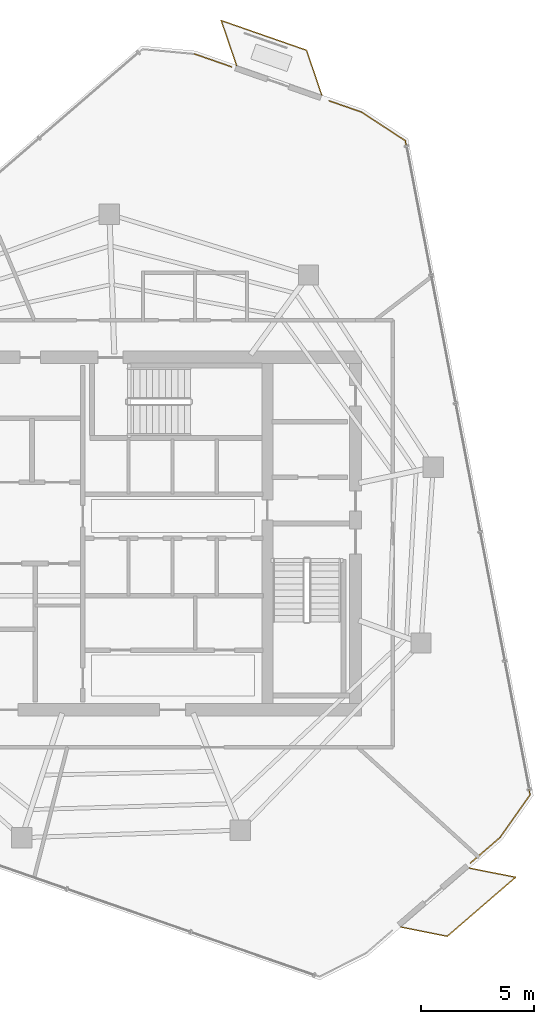
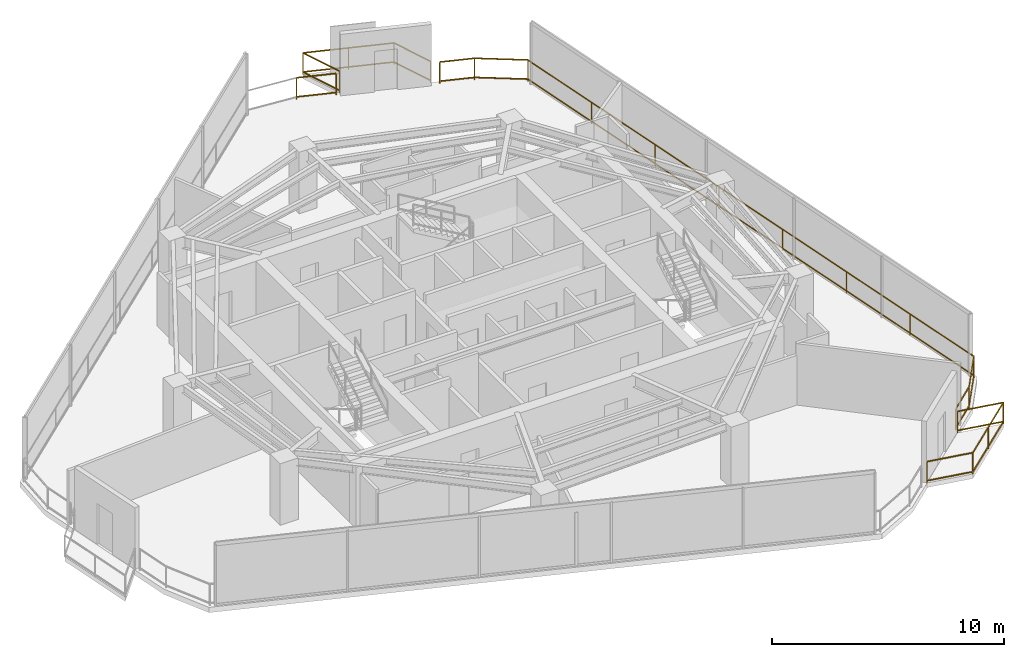
# One storey, part 18 of 18: 4 railings.
"""IFC4 building model written with IfcOpenShell, lengths in metres."""

from ifc_helpers import new_model, si_unit, direction, frame, origin, origin_2d, place, context, subcontext, project, spatial, rectangle, extrude, material, type_object, element, save


model = new_model("IFC4")

# Units and contexts
model_context = context("Model", 3, precision=1e-05, world=origin(), true_north=direction((0.0, 1.0)))
body_context = subcontext(model_context, "Body", "Model", "MODEL_VIEW")
ifc_project = project(units=[si_unit("LENGTHUNIT", "METRE"), si_unit("AREAUNIT", "SQUARE_METRE"), si_unit("VOLUMEUNIT", "CUBIC_METRE"), si_unit("PLANEANGLEUNIT", "RADIAN"), si_unit("MASSUNIT", "GRAM", prefix="KILO")], contexts=[model_context])

# Site, building, storey
site_placement = place(None, origin())
site = spatial("IfcSite", under=ifc_project, at=site_placement, CompositionType="ELEMENT")
building_placement = place(site_placement, origin())
building = spatial("IfcBuilding", under=site, at=building_placement, Name="Qarnah Convention Tower", CompositionType="ELEMENT")
storey_placement = place(building_placement, frame((0.0, 0.0, 220.199951171875)))
storey = spatial("IfcBuildingStorey", under=building, at=storey_placement, Name="L59", CompositionType="ELEMENT", Elevation=220.199951171875)

# Railings
ifc_material = material(Name="Black anodised aluminium", Category="aluminium")
railing_type = type_object("IfcRailingType", Name="RL-EXT-GUARD-1150", PredefinedType="GUARDRAIL", material=ifc_material)
railing_1_placement = place(storey_placement, frame((40.47705078125, 47.633056640625, 0.0)))
element("IfcRailing", 1, at=railing_1_placement, inside=storey, type_object=railing_type, Name="L59 slab-edge perimeter safety guard 01", PredefinedType="GUARDRAIL", context=body_context, shape_type="SweptSolid", body=[
    extrude(rectangle(XDim=0.048095703125, YDim=0.048095703125, at=origin_2d()), frame((0.0, 0.0, 1.1259765625), z_axis=(0.944464626198, -0.328613100562, 0.0), x_axis=(0.328613100562, 0.944464626198, 0.0)), (0.0, 0.0, 1.0), 1.74072265625),
    extrude(rectangle(XDim=0.048095703125, YDim=0.048095703125, at=origin_2d()), frame((0.0, 0.0, 0.1201171875), z_axis=(0.944464626198, -0.328613100562, 0.0), x_axis=(0.328613100562, 0.944464626198, 0.0)), (0.0, 0.0, 1.0), 1.74072265625),
    extrude(rectangle(XDim=0.0419921875, YDim=0.0419921875, at=origin_2d()), origin(), (0.0, 0.0, 1.0), 1.101806640625),
    extrude(rectangle(XDim=0.0419921875, YDim=0.0419921875, at=origin_2d()), frame((1.64404296875, -0.572021484375, 0.0)), (0.0, 0.0, 1.0), 1.101806640625),
])
railing_2_placement = place(storey_placement, frame((46.425048828125, 45.56201171875, 0.0)))
element("IfcRailing", 2, at=railing_2_placement, inside=storey, type_object=railing_type, Name="L59 slab-edge perimeter safety guard 02", PredefinedType="GUARDRAIL", context=body_context, shape_type="SweptSolid", body=[
    extrude(rectangle(XDim=0.048095703125, YDim=0.048095703125, at=origin_2d()), frame((0.0, 0.0, 1.1259765625), z_axis=(0.944350216863, -0.328941739387, 0.0), x_axis=(0.328941739387, 0.944350216863, 0.0)), (0.0, 0.0, 1.0), 1.529052734375),
    extrude(rectangle(XDim=0.048095703125, YDim=0.048095703125, at=origin_2d()), frame((0.0, 0.0, 0.1201171875), z_axis=(0.944350216863, -0.328941739387, 0.0), x_axis=(0.328941739387, 0.944350216863, 0.0)), (0.0, 0.0, 1.0), 1.529052734375),
    extrude(rectangle(XDim=0.048095703125, YDim=0.048095703125, at=origin_2d()), frame((1.44384765625, -0.5029296875, 1.1259765625), z_axis=(0.836734971351, -0.547608060311, 0.0), x_axis=(0.547608060311, 0.836734971351, 0.0)), (0.0, 0.0, 1.0), 2.310302734375),
    extrude(rectangle(XDim=0.048095703125, YDim=0.048095703125, at=origin_2d()), frame((1.44384765625, -0.5029296875, 0.1201171875), z_axis=(0.836734971351, -0.547608060311, 0.0), x_axis=(0.547608060311, 0.836734971351, 0.0)), (0.0, 0.0, 1.0), 2.310302734375),
    extrude(rectangle(XDim=0.048095703125, YDim=0.048095703125, at=origin_2d()), frame((3.376953125, -1.76806640625, 1.1259765625), z_axis=(0.187371674892, -0.98228908955, 0.0), x_axis=(0.98228908955, 0.187371674892, 0.0)), (0.0, 0.0, 1.0), 29.475830078125),
    extrude(rectangle(XDim=0.048095703125, YDim=0.048095703125, at=origin_2d()), frame((3.376953125, -1.76806640625, 0.1201171875), z_axis=(0.187371674892, -0.98228908955, 0.0), x_axis=(0.98228908955, 0.187371674892, 0.0)), (0.0, 0.0, 1.0), 29.475830078125),
    extrude(rectangle(XDim=0.048095703125, YDim=0.048095703125, at=origin_2d()), frame((8.89990234375, -30.721923828125, 1.1259765625), z_axis=(-0.576168593829, -0.817330870263, 0.0), x_axis=(0.817330870263, -0.576168593829, 0.0)), (0.0, 0.0, 1.0), 2.310302734375),
    extrude(rectangle(XDim=0.048095703125, YDim=0.048095703125, at=origin_2d()), frame((8.89990234375, -30.721923828125, 0.1201171875), z_axis=(-0.576168593829, -0.817330870263, 0.0), x_axis=(0.817330870263, -0.576168593829, 0.0)), (0.0, 0.0, 1.0), 2.310302734375),
    extrude(rectangle(XDim=0.048095703125, YDim=0.048095703125, at=origin_2d()), frame((7.56884765625, -32.610107421875, 1.1259765625), z_axis=(-0.75720165346, -0.6531811816, 0.0), x_axis=(0.6531811816, -0.75720165346, 0.0)), (0.0, 0.0, 1.0), 1.7392578125),
    extrude(rectangle(XDim=0.048095703125, YDim=0.048095703125, at=origin_2d()), frame((7.56884765625, -32.610107421875, 0.1201171875), z_axis=(-0.75720165346, -0.6531811816, 0.0), x_axis=(0.6531811816, -0.75720165346, 0.0)), (0.0, 0.0, 1.0), 1.7392578125),
    extrude(rectangle(XDim=0.0419921875, YDim=0.0419921875, at=origin_2d()), origin(), (0.0, 0.0, 1.0), 1.101806640625),
    extrude(rectangle(XDim=0.0419921875, YDim=0.0419921875, at=origin_2d()), frame((1.44384765625, -0.5029296875, 0.0)), (0.0, 0.0, 1.0), 1.101806640625),
    extrude(rectangle(XDim=0.0419921875, YDim=0.0419921875, at=origin_2d()), frame((3.376953125, -1.76806640625, 0.0)), (0.0, 0.0, 1.0), 1.101806640625),
    extrude(rectangle(XDim=0.0419921875, YDim=0.0419921875, at=origin_2d()), frame((4.166015625, -5.904296875, 0.0)), (0.0, 0.0, 1.0), 1.101806640625),
    extrude(rectangle(XDim=0.0419921875, YDim=0.0419921875, at=origin_2d()), frame((4.954833984375, -10.04052734375, 0.0)), (0.0, 0.0, 1.0), 1.101806640625),
    extrude(rectangle(XDim=0.0419921875, YDim=0.0419921875, at=origin_2d()), frame((5.743896484375, -14.1767578125, 0.0)), (0.0, 0.0, 1.0), 1.101806640625),
    extrude(rectangle(XDim=0.0419921875, YDim=0.0419921875, at=origin_2d()), frame((6.532958984375, -18.313232421875, 0.0)), (0.0, 0.0, 1.0), 1.101806640625),
    extrude(rectangle(XDim=0.0419921875, YDim=0.0419921875, at=origin_2d()), frame((7.322021484375, -22.449462890625, 0.0)), (0.0, 0.0, 1.0), 1.101806640625),
    extrude(rectangle(XDim=0.0419921875, YDim=0.0419921875, at=origin_2d()), frame((8.11083984375, -26.585693359375, 0.0)), (0.0, 0.0, 1.0), 1.101806640625),
    extrude(rectangle(XDim=0.0419921875, YDim=0.0419921875, at=origin_2d()), frame((8.89990234375, -30.721923828125, 0.0)), (0.0, 0.0, 1.0), 1.101806640625),
    extrude(rectangle(XDim=0.0419921875, YDim=0.0419921875, at=origin_2d()), frame((7.56884765625, -32.610107421875, 0.0)), (0.0, 0.0, 1.0), 1.101806640625),
    extrude(rectangle(XDim=0.0419921875, YDim=0.0419921875, at=origin_2d()), frame((6.251953125, -33.74609375, 0.0)), (0.0, 0.0, 1.0), 1.101806640625),
])
railing_3_placement = place(storey_placement, frame((42.3291015625, 47.132080078125, 0.0)))
element("IfcRailing", 3, at=railing_3_placement, inside=storey, type_object=railing_type, Name="L59 balcony safety guard BAL-L59-C1", PredefinedType="GUARDRAIL", context=body_context, shape_type="SweptSolid", body=[
    extrude(rectangle(XDim=0.048095703125, YDim=0.048095703125, at=origin_2d()), frame((0.0, 0.0, 1.1259765625), z_axis=(-0.322412754896, 0.946599184175, 0.0), x_axis=(-0.946599184175, -0.322412754896, 0.0)), (0.0, 0.0, 1.0), 2.09375),
    extrude(rectangle(XDim=0.048095703125, YDim=0.048095703125, at=origin_2d()), frame((0.0, 0.0, 0.1201171875), z_axis=(-0.322412754896, 0.946599184175, 0.0), x_axis=(-0.946599184175, -0.322412754896, 0.0)), (0.0, 0.0, 1.0), 2.09375),
    extrude(rectangle(XDim=0.048095703125, YDim=0.048095703125, at=origin_2d()), frame((-0.675048828125, 1.98193359375, 1.1259765625), z_axis=(0.944350152752, -0.328941923441, 0.0), x_axis=(0.328941923441, 0.944350152752, 0.0)), (0.0, 0.0, 1.0), 4.00048828125),
    extrude(rectangle(XDim=0.048095703125, YDim=0.048095703125, at=origin_2d()), frame((-0.675048828125, 1.98193359375, 0.1201171875), z_axis=(0.944350152752, -0.328941923441, 0.0), x_axis=(0.328941923441, 0.944350152752, 0.0)), (0.0, 0.0, 1.0), 4.00048828125),
    extrude(rectangle(XDim=0.048095703125, YDim=0.048095703125, at=origin_2d()), frame((3.102783203125, 0.666015625, 1.1259765625), z_axis=(0.32195917691, -0.946753552094, 0.0), x_axis=(0.946753552094, 0.32195917691, 0.0)), (0.0, 0.0, 1.0), 2.09375),
    extrude(rectangle(XDim=0.048095703125, YDim=0.048095703125, at=origin_2d()), frame((3.102783203125, 0.666015625, 0.1201171875), z_axis=(0.32195917691, -0.946753552094, 0.0), x_axis=(0.946753552094, 0.32195917691, 0.0)), (0.0, 0.0, 1.0), 2.09375),
    extrude(rectangle(XDim=0.0419921875, YDim=0.0419921875, at=origin_2d()), origin(), (0.0, 0.0, 1.0), 1.101806640625),
    extrude(rectangle(XDim=0.0419921875, YDim=0.0419921875, at=origin_2d()), frame((-0.675048828125, 1.98193359375, 0.0)), (0.0, 0.0, 1.0), 1.101806640625),
    extrude(rectangle(XDim=0.0419921875, YDim=0.0419921875, at=origin_2d()), frame((1.2138671875, 1.323974609375, 0.0)), (0.0, 0.0, 1.0), 1.101806640625),
    extrude(rectangle(XDim=0.0419921875, YDim=0.0419921875, at=origin_2d()), frame((3.102783203125, 0.666015625, 0.0)), (0.0, 0.0, 1.0), 1.101806640625),
    extrude(rectangle(XDim=0.0419921875, YDim=0.0419921875, at=origin_2d()), frame((3.77685546875, -1.316162109375, 0.0)), (0.0, 0.0, 1.0), 1.101806640625),
])
railing_4_placement = place(storey_placement, frame((52.634033203125, 11.60009765625, 0.0)))
element("IfcRailing", 4, at=railing_4_placement, inside=storey, type_object=railing_type, Name="L59 balcony safety guard BAL-L59-C3", PredefinedType="GUARDRAIL", context=body_context, shape_type="SweptSolid", body=[
    extrude(rectangle(XDim=0.048095703125, YDim=0.048095703125, at=origin_2d()), frame((0.0, 0.0, 1.1259765625), z_axis=(0.980928906395, -0.194366871147, 0.0), x_axis=(0.194366871147, 0.980928906395, 0.0)), (0.0, 0.0, 1.0), 2.093994140625),
    extrude(rectangle(XDim=0.048095703125, YDim=0.048095703125, at=origin_2d()), frame((0.0, 0.0, 0.1201171875), z_axis=(0.980928906395, -0.194366871147, 0.0), x_axis=(0.194366871147, 0.980928906395, 0.0)), (0.0, 0.0, 1.0), 2.093994140625),
    extrude(rectangle(XDim=0.048095703125, YDim=0.048095703125, at=origin_2d()), frame((2.053955078125, -0.406982421875, 1.1259765625), z_axis=(-0.756964335835, -0.653456191549, 0.0), x_axis=(0.653456191549, -0.756964335835, 0.0)), (0.0, 0.0, 1.0), 4.000244140625),
    extrude(rectangle(XDim=0.048095703125, YDim=0.048095703125, at=origin_2d()), frame((2.053955078125, -0.406982421875, 0.1201171875), z_axis=(-0.756964335835, -0.653456191549, 0.0), x_axis=(0.653456191549, -0.756964335835, 0.0)), (0.0, 0.0, 1.0), 4.000244140625),
    extrude(rectangle(XDim=0.048095703125, YDim=0.048095703125, at=origin_2d()), frame((-0.97412109375, -3.02099609375, 1.1259765625), z_axis=(-0.980928906395, 0.194366871147, 0.0), x_axis=(-0.194366871147, -0.980928906395, 0.0)), (0.0, 0.0, 1.0), 2.093994140625),
    extrude(rectangle(XDim=0.048095703125, YDim=0.048095703125, at=origin_2d()), frame((-0.97412109375, -3.02099609375, 0.1201171875), z_axis=(-0.980928906395, 0.194366871147, 0.0), x_axis=(-0.194366871147, -0.980928906395, 0.0)), (0.0, 0.0, 1.0), 2.093994140625),
    extrude(rectangle(XDim=0.0419921875, YDim=0.0419921875, at=origin_2d()), origin(), (0.0, 0.0, 1.0), 1.101806640625),
    extrude(rectangle(XDim=0.0419921875, YDim=0.0419921875, at=origin_2d()), frame((2.053955078125, -0.406982421875, 0.0)), (0.0, 0.0, 1.0), 1.101806640625),
    extrude(rectangle(XDim=0.0419921875, YDim=0.0419921875, at=origin_2d()), frame((0.5400390625, -1.7138671875, 0.0)), (0.0, 0.0, 1.0), 1.101806640625),
    extrude(rectangle(XDim=0.0419921875, YDim=0.0419921875, at=origin_2d()), frame((-0.97412109375, -3.02099609375, 0.0)), (0.0, 0.0, 1.0), 1.101806640625),
    extrude(rectangle(XDim=0.0419921875, YDim=0.0419921875, at=origin_2d()), frame((-3.028076171875, -2.614013671875, 0.0)), (0.0, 0.0, 1.0), 1.101806640625),
])

save(model, "model.ifc")
